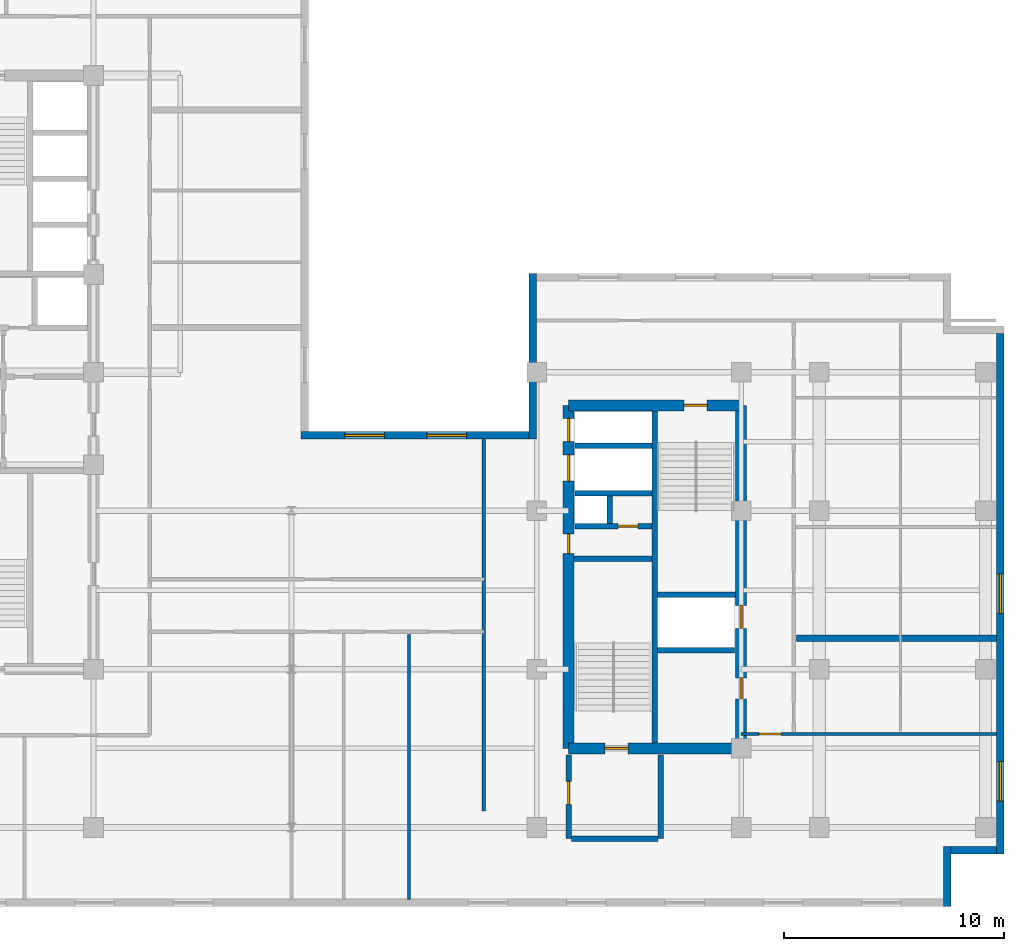
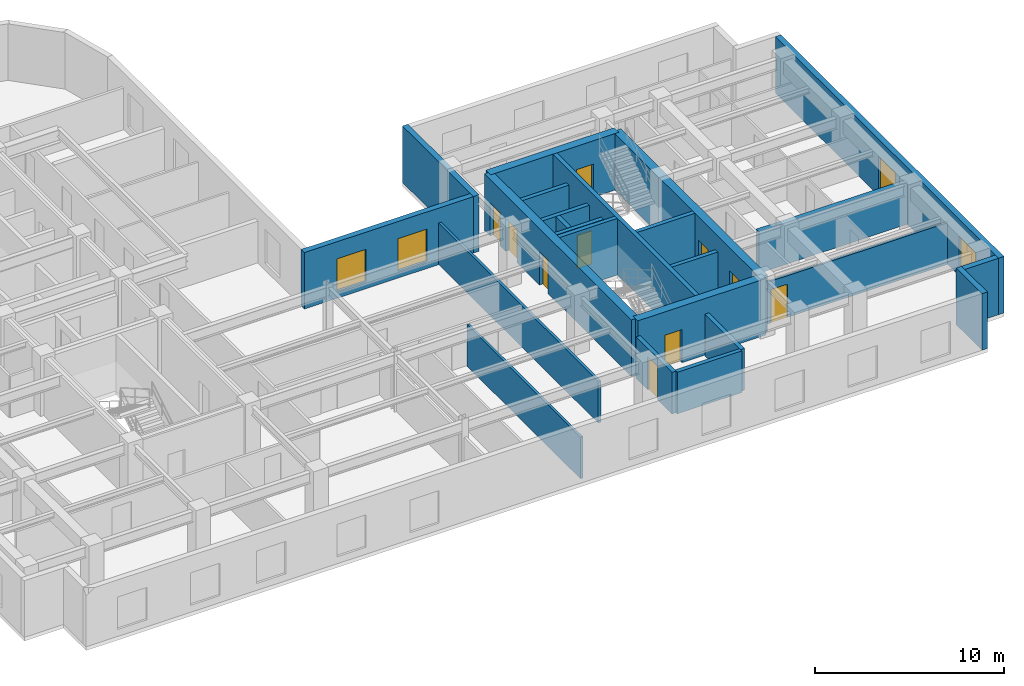
# One storey, part 6 of 11: 24 walls, 10 doors, 4 windows, 14 openings.
"""IFC4 building model written with IfcOpenShell, lengths in metres."""

from ifc_helpers import new_model, entity, si_unit, converted_unit, direction, frame, origin_with_axes, origin_2d_with_axis, place, context, subcontext, project, spatial, polyline, rectangle, outline, extrude, material, layer, layer_set, type_object, element, fill, save


model = new_model("IFC4")

# Units and contexts
model_context = context("Model", 3, precision=1e-05, world=origin_with_axes(), true_north=direction((0.0, 1.0)))
body_context = subcontext(model_context, "Body", "Model", "MODEL_VIEW")
ifc_project = project(units=[si_unit("LENGTHUNIT", "METRE"), si_unit("AREAUNIT", "SQUARE_METRE"), si_unit("VOLUMEUNIT", "CUBIC_METRE"), converted_unit("PLANEANGLEUNIT", "DEGREE", entity("IfcPlaneAngleMeasure", 0.017453292519943295), si_unit("PLANEANGLEUNIT", "RADIAN"), dimensions=[0, 0, 0, 0, 0, 0, 0]), si_unit("MASSUNIT", "GRAM", prefix="KILO"), si_unit("THERMODYNAMICTEMPERATUREUNIT", "KELVIN")], contexts=[model_context])

# Site, building, storey
site_placement = place(None, origin_with_axes())
site = spatial("IfcSite", under=ifc_project, at=site_placement, CompositionType="ELEMENT")
building_placement = place(site_placement, origin_with_axes())
building = spatial("IfcBuilding", under=site, at=building_placement, Name="Varnlund Millrace Tower", CompositionType="ELEMENT")
storey_placement = place(building_placement, frame((0.0, 0.0, 196.5), z_axis=(0.0, 0.0, 1.0), x_axis=(1.0, 0.0, 0.0)))
storey = spatial("IfcBuildingStorey", under=building, at=storey_placement, Name="L48", CompositionType="ELEMENT", Elevation=196.5)

# Wall, openings, doors
ifc_material_1 = material(Name="Concrete C70/85", Category="concrete")
ifc_layer_1 = layer(ifc_material_1, 0.5, Name="Concrete C70/85")
ifc_layer_set_1 = layer_set([ifc_layer_1], Name="Concrete C70/85")
wall_type_1 = type_object("IfcWallType", Name="Type-CoreWall-Shear-500-C70", PredefinedType="SHEAR", material=ifc_layer_set_1)
wall_1_placement = place(storey_placement, frame((40.2, 7.2, 0.0), z_axis=(0.0, 0.0, 1.0), x_axis=(0.0, 1.0, 0.0)))
wall_1 = element("IfcWall", 1, at=wall_1_placement, inside=storey, type_object=wall_type_1, Name="Type-CoreWall-Shear-500-C70", PredefinedType="SHEAR", context=body_context, shape_type="SweptSolid", body=[
    extrude(outline(polyline([(0.0, -0.25), (15.6, -0.25), (15.6, 0.25), (0.0, 0.25), (0.0, -0.25)])), origin_with_axes(), (0.0, 0.0, 1.0), 3.66),
])
opening_1_placement = place(wall_1_placement, frame((14.475, 0.0, 0.0), z_axis=(0.0, 0.0, 1.0), x_axis=(1.0, 0.0, 0.0)))
opening_1 = element("IfcOpeningElement", 2, at=opening_1_placement, cuts=wall_1, Name="Opening L48:LD-ELV-M4", PredefinedType="OPENING", context=body_context, shape_type="SweptSolid", body=[
    extrude(rectangle(XDim=1.05, YDim=0.52, at=origin_2d_with_axis()), origin_with_axes(), (0.0, 0.0, 1.0), 2.15),
])
opening_2_placement = place(wall_1_placement, frame((12.75, 0.0, 0.0), z_axis=(0.0, 0.0, 1.0), x_axis=(1.0, 0.0, 0.0)))
opening_2 = element("IfcOpeningElement", 3, at=opening_2_placement, cuts=wall_1, Name="Opening L48:LD-SRV2", PredefinedType="OPENING", context=body_context, shape_type="SweptSolid", body=[
    extrude(rectangle(XDim=1.2, YDim=0.52, at=origin_2d_with_axis()), origin_with_axes(), (0.0, 0.0, 1.0), 2.15),
])
opening_3_placement = place(wall_1_placement, frame((9.3, 0.0, 0.0), z_axis=(0.0, 0.0, 1.0), x_axis=(1.0, 0.0, 0.0)))
opening_3 = element("IfcOpeningElement", 4, at=opening_3_placement, cuts=wall_1, Name="Opening L48:DR-CB-JAN", PredefinedType="OPENING", context=body_context, shape_type="SweptSolid", body=[
    extrude(rectangle(XDim=0.9, YDim=0.52, at=origin_2d_with_axis()), origin_with_axes(), (0.0, 0.0, 1.0), 2.15),
])
ifc_material_2 = material(Name="Fire-rated hollow steel service closet door", Category="steel")
door_type_1 = type_object("IfcDoorType", Name="Type-FireDoor-Closet-900X2150", OperationType="NOTDEFINED", PredefinedType="DOOR", material=ifc_material_2)
door_1_placement = place(wall_1_placement, frame((9.3, 0.0, 0.0), z_axis=(0.0, 0.0, 1.0), x_axis=(1.0, 0.0, 0.0)))
door_1 = element("IfcDoor", 5, at=door_1_placement, inside=storey, type_object=door_type_1, Name="Type-FireDoor-Closet-900X2150", OperationType="SINGLE_SWING_RIGHT", OverallHeight=2.15, OverallWidth=0.9, PredefinedType="DOOR", context=body_context, shape_type="SweptSolid", body=[
    extrude(rectangle(XDim=0.9, YDim=0.09, at=origin_2d_with_axis()), origin_with_axes(), (0.0, 0.0, 1.0), 2.15),
])
fill(opening_3, door_1)
ifc_material_3 = material(Name="Architectural bronze sliding landing door")
door_type_2 = type_object("IfcDoorType", Name="Type-LiftLandingDoor-Compact-1050X2150", OperationType="NOTDEFINED", PredefinedType="DOOR", material=ifc_material_3)
door_2_placement = place(wall_1_placement, frame((14.475, 0.0, 0.0), z_axis=(0.0, 0.0, 1.0), x_axis=(1.0, 0.0, 0.0)))
door_2 = element("IfcDoor", 6, at=door_2_placement, inside=storey, type_object=door_type_2, Name="Type-LiftLandingDoor-Compact-1050X2150", OperationType="SLIDING_TO_RIGHT", OverallHeight=2.15, OverallWidth=1.05, PredefinedType="DOOR", context=body_context, shape_type="SweptSolid", body=[
    extrude(rectangle(XDim=1.05, YDim=0.09, at=origin_2d_with_axis()), origin_with_axes(), (0.0, 0.0, 1.0), 2.15),
])
fill(opening_1, door_2)
ifc_material_4 = material(Name="Heavy-duty freight sliding landing door")
door_type_3 = type_object("IfcDoorType", Name="Type-LiftLandingDoor-Service-1200X2150", OperationType="NOTDEFINED", PredefinedType="DOOR", material=ifc_material_4)
door_3_placement = place(wall_1_placement, frame((12.75, 0.0, 0.0), z_axis=(0.0, 0.0, 1.0), x_axis=(1.0, 0.0, 0.0)))
door_3 = element("IfcDoor", 7, at=door_3_placement, inside=storey, type_object=door_type_3, Name="Type-LiftLandingDoor-Service-1200X2150", OperationType="DOUBLE_DOOR_SLIDING", OverallHeight=2.15, OverallWidth=1.2, PredefinedType="DOOR", context=body_context, shape_type="SweptSolid", body=[
    extrude(rectangle(XDim=1.2, YDim=0.09, at=origin_2d_with_axis()), origin_with_axes(), (0.0, 0.0, 1.0), 2.15),
])
fill(opening_2, door_3)

# Wall, opening, door
wall_2_placement = place(storey_placement, frame((40.2, 7.2, 0.0), z_axis=(0.0, 0.0, 1.0), x_axis=(1.0, 0.0, 0.0)))
wall_2 = element("IfcWall", 8, at=wall_2_placement, inside=storey, type_object=wall_type_1, Name="Type-CoreWall-Shear-500-C70", PredefinedType="SHEAR", context=body_context, shape_type="SweptSolid", body=[
    extrude(outline(polyline([(0.0, -0.25), (7.85, -0.25), (7.85, 0.25), (0.0, 0.25), (0.0, -0.25)])), origin_with_axes(), (0.0, 0.0, 1.0), 3.66),
])
opening_4_placement = place(wall_2_placement, frame((2.175, 0.0, 0.0), z_axis=(0.0, 0.0, 1.0), x_axis=(1.0, 0.0, 0.0)))
opening_4 = element("IfcOpeningElement", 9, at=opening_4_placement, cuts=wall_2, Name="Opening L48:DR-STB1", PredefinedType="OPENING", context=body_context, shape_type="SweptSolid", body=[
    extrude(rectangle(XDim=1.05, YDim=0.52, at=origin_2d_with_axis()), origin_with_axes(), (0.0, 0.0, 1.0), 2.15),
])
ifc_material_5 = material(Name="Fire-rated hollow steel door", Category="steel")
door_type_4 = type_object("IfcDoorType", Name="Type-FireDoor-Stair-1050X2150", OperationType="NOTDEFINED", PredefinedType="DOOR", material=ifc_material_5)
door_4_placement = place(wall_2_placement, frame((2.175, 0.0, 0.0), z_axis=(0.0, 0.0, 1.0), x_axis=(1.0, 0.0, 0.0)))
door_4 = element("IfcDoor", 10, at=door_4_placement, inside=storey, type_object=door_type_4, Name="Type-FireDoor-Stair-1050X2150", OperationType="SINGLE_SWING_LEFT", OverallHeight=2.15, OverallWidth=1.05, PredefinedType="DOOR", context=body_context, shape_type="SweptSolid", body=[
    extrude(rectangle(XDim=1.05, YDim=0.09, at=origin_2d_with_axis()), origin_with_axes(), (0.0, 0.0, 1.0), 2.15),
])
fill(opening_4, door_4)

wall_3_placement = place(storey_placement, frame((40.2, 22.8, 0.0), z_axis=(0.0, 0.0, 1.0), x_axis=(1.0, 0.0, 0.0)))
wall_3 = element("IfcWall", 11, at=wall_3_placement, inside=storey, type_object=wall_type_1, Name="Type-CoreWall-Shear-500-C70", PredefinedType="SHEAR", context=body_context, shape_type="SweptSolid", body=[
    extrude(outline(polyline([(0.0, -0.25), (7.85, -0.25), (7.85, 0.25), (0.0, 0.25), (0.0, -0.25)])), origin_with_axes(), (0.0, 0.0, 1.0), 3.66),
])
opening_5_placement = place(wall_3_placement, frame((5.775, 0.0, 0.0), z_axis=(0.0, 0.0, 1.0), x_axis=(1.0, 0.0, 0.0)))
opening_5 = element("IfcOpeningElement", 12, at=opening_5_placement, cuts=wall_3, Name="Opening L48:DR-STB2", PredefinedType="OPENING", context=body_context, shape_type="SweptSolid", body=[
    extrude(rectangle(XDim=1.05, YDim=0.52, at=origin_2d_with_axis()), origin_with_axes(), (0.0, 0.0, 1.0), 2.15),
])
door_5_placement = place(wall_3_placement, frame((5.775, 0.0, 0.0), z_axis=(0.0, 0.0, 1.0), x_axis=(1.0, 0.0, 0.0)))
door_5 = element("IfcDoor", 13, at=door_5_placement, inside=storey, type_object=door_type_4, Name="Type-FireDoor-Stair-1050X2150", OperationType="SINGLE_SWING_RIGHT", OverallHeight=2.15, OverallWidth=1.05, PredefinedType="DOOR", context=body_context, shape_type="SweptSolid", body=[
    extrude(rectangle(XDim=1.05, YDim=0.09, at=origin_2d_with_axis()), origin_with_axes(), (0.0, 0.0, 1.0), 2.15),
])
fill(opening_5, door_5)

# Wall, openings, doors
wall_4_placement = place(storey_placement, frame((48.05, 7.2, 0.0), z_axis=(0.0, 0.0, 1.0), x_axis=(0.0, 1.0, 0.0)))
wall_4 = element("IfcWall", 14, at=wall_4_placement, inside=storey, type_object=wall_type_1, Name="Type-CoreWall-Shear-500-C70", PredefinedType="SHEAR", context=body_context, shape_type="SweptSolid", body=[
    extrude(outline(polyline([(0.0, -0.25), (15.6, -0.25), (15.6, 0.25), (0.0, 0.25), (0.0, -0.25)])), origin_with_axes(), (0.0, 0.0, 1.0), 3.66),
])
opening_6_placement = place(wall_4_placement, frame((5.975, 0.0, 0.0), z_axis=(0.0, 0.0, 1.0), x_axis=(1.0, 0.0, 0.0)))
opening_6 = element("IfcOpeningElement", 15, at=opening_6_placement, cuts=wall_4, Name="Opening L48:LD-ELV-M3", PredefinedType="OPENING", context=body_context, shape_type="SweptSolid", body=[
    extrude(rectangle(XDim=1.05, YDim=0.52, at=origin_2d_with_axis()), origin_with_axes(), (0.0, 0.0, 1.0), 2.15),
])
opening_7_placement = place(wall_4_placement, frame((2.725, 0.0, 0.0), z_axis=(0.0, 0.0, 1.0), x_axis=(1.0, 0.0, 0.0)))
opening_7 = element("IfcOpeningElement", 16, at=opening_7_placement, cuts=wall_4, Name="Opening L48:DR-CB-WC", PredefinedType="OPENING", context=body_context, shape_type="SweptSolid", body=[
    extrude(rectangle(XDim=0.95, YDim=0.52, at=origin_2d_with_axis()), origin_with_axes(), (0.0, 0.0, 1.0), 2.15),
])
ifc_material_6 = material(Name="Fire-rated hollow steel core service door", Category="steel")
door_type_5 = type_object("IfcDoorType", Name="Type-FireDoor-Service-950X2150", OperationType="NOTDEFINED", PredefinedType="DOOR", material=ifc_material_6)
door_6_placement = place(wall_4_placement, frame((2.725, 0.0, 0.0), z_axis=(0.0, 0.0, 1.0), x_axis=(1.0, 0.0, 0.0)))
door_6 = element("IfcDoor", 17, at=door_6_placement, inside=storey, type_object=door_type_5, Name="Type-FireDoor-Service-950X2150", OperationType="SINGLE_SWING_LEFT", OverallHeight=2.15, OverallWidth=0.95, PredefinedType="DOOR", context=body_context, shape_type="SweptSolid", body=[
    extrude(rectangle(XDim=0.95, YDim=0.09, at=origin_2d_with_axis()), origin_with_axes(), (0.0, 0.0, 1.0), 2.15),
])
fill(opening_7, door_6)
door_7_placement = place(wall_4_placement, frame((5.975, 0.0, 0.0), z_axis=(0.0, 0.0, 1.0), x_axis=(1.0, 0.0, 0.0)))
door_7 = element("IfcDoor", 18, at=door_7_placement, inside=storey, type_object=door_type_2, Name="Type-LiftLandingDoor-Compact-1050X2150", OperationType="SLIDING_TO_LEFT", OverallHeight=2.15, OverallWidth=1.05, PredefinedType="DOOR", context=body_context, shape_type="SweptSolid", body=[
    extrude(rectangle(XDim=1.05, YDim=0.09, at=origin_2d_with_axis()), origin_with_axes(), (0.0, 0.0, 1.0), 2.15),
])
fill(opening_6, door_7)

# Wall
ifc_material_7 = material(Name="Precast concrete C50/60", Category="concrete")
ifc_layer_2 = layer(ifc_material_7, 0.34, Name="Precast concrete C50/60")
ifc_layer_set_2 = layer_set([ifc_layer_2], Name="Precast concrete C50/60")
wall_type_2 = type_object("IfcWallType", Name="Type-ExtWall-Precast-Upper-340", PredefinedType="SOLIDWALL", material=ifc_layer_set_2)
wall_5_placement = place(storey_placement, frame((38.57, 21.26, 0.0), z_axis=(0.0, 0.0, 1.0), x_axis=(0.0, 1.0, 0.0)))
element("IfcWall", 19, at=wall_5_placement, inside=storey, type_object=wall_type_2, Name="Type-ExtWall-Precast-Upper-340", PredefinedType="SOLIDWALL", context=body_context, shape_type="SweptSolid", body=[
    extrude(outline(polyline([(0.0, -0.17), (7.54, -0.17), (7.54, 0.17), (0.0, 0.17), (0.0, -0.17)])), origin_with_axes(), (0.0, 0.0, 1.0), 3.66),
])

# Wall, openings, windows
wall_6_placement = place(storey_placement, frame((59.83, 26.06, 0.0), z_axis=(0.0, 0.0, 1.0), x_axis=(0.0, -1.0, 0.0)))
wall_6 = element("IfcWall", 20, at=wall_6_placement, inside=storey, type_object=wall_type_2, Name="Type-ExtWall-Precast-Upper-340", PredefinedType="SOLIDWALL", context=body_context, shape_type="SweptSolid", body=[
    extrude(outline(polyline([(0.0, -0.17), (23.66, -0.17), (23.66, 0.17), (0.0, 0.17), (0.0, -0.17)])), origin_with_axes(), (0.0, 0.0, 1.0), 3.66),
])
opening_8_placement = place(wall_6_placement, frame((11.83, 0.0, 0.45), z_axis=(0.0, 0.0, 1.0), x_axis=(1.0, 0.0, 0.0)))
opening_8 = element("IfcOpeningElement", 21, at=opening_8_placement, cuts=wall_6, Name="Opening L48:WN-05", PredefinedType="OPENING", context=body_context, shape_type="SweptSolid", body=[
    extrude(rectangle(XDim=1.8, YDim=0.36, at=origin_2d_with_axis()), origin_with_axes(), (0.0, 0.0, 1.0), 2.1),
])
opening_9_placement = place(wall_6_placement, frame((20.364, 0.0, 0.45), z_axis=(0.0, 0.0, 1.0), x_axis=(1.0, 0.0, 0.0)))
opening_9 = element("IfcOpeningElement", 22, at=opening_9_placement, cuts=wall_6, Name="Opening L48:WN-06", PredefinedType="OPENING", context=body_context, shape_type="SweptSolid", body=[
    extrude(rectangle(XDim=1.8, YDim=0.36, at=origin_2d_with_axis()), origin_with_axes(), (0.0, 0.0, 1.0), 2.1),
])
ifc_material_8 = material(Name="Argon low-e triple glazing in thermally broken bronze frame", Category="glass")
window_type = type_object("IfcWindowType", Name="Type-Window-Punched-1800X2100", PartitioningType="SINGLE_PANEL", PredefinedType="WINDOW", material=ifc_material_8)
window_1_placement = place(wall_6_placement, frame((11.83, 0.0, 0.45), z_axis=(0.0, 0.0, 1.0), x_axis=(1.0, 0.0, 0.0)))
window_1 = element("IfcWindow", 23, at=window_1_placement, inside=storey, type_object=window_type, Name="Type-Window-Punched-1800X2100", OverallHeight=2.1, OverallWidth=1.8, PredefinedType="WINDOW", context=body_context, shape_type="SweptSolid", body=[
    extrude(rectangle(XDim=1.8, YDim=0.09, at=origin_2d_with_axis()), origin_with_axes(), (0.0, 0.0, 1.0), 2.1),
])
fill(opening_8, window_1)
window_2_placement = place(wall_6_placement, frame((20.364, 0.0, 0.45), z_axis=(0.0, 0.0, 1.0), x_axis=(1.0, 0.0, 0.0)))
window_2 = element("IfcWindow", 24, at=window_2_placement, inside=storey, type_object=window_type, Name="Type-Window-Punched-1800X2100", OverallHeight=2.1, OverallWidth=1.8, PredefinedType="WINDOW", context=body_context, shape_type="SweptSolid", body=[
    extrude(rectangle(XDim=1.8, YDim=0.09, at=origin_2d_with_axis()), origin_with_axes(), (0.0, 0.0, 1.0), 2.1),
])
fill(opening_9, window_2)

# Walls
wall_7_placement = place(storey_placement, frame((59.66, 2.57, 0.0), z_axis=(0.0, 0.0, 1.0), x_axis=(-1.0, 0.0, 0.0)))
element("IfcWall", 25, at=wall_7_placement, inside=storey, type_object=wall_type_2, Name="Type-ExtWall-Precast-Upper-340", PredefinedType="SOLIDWALL", context=body_context, shape_type="SweptSolid", body=[
    extrude(outline(polyline([(0.0, -0.17), (2.06, -0.17), (2.06, 0.17), (0.0, 0.17), (0.0, -0.17)])), origin_with_axes(), (0.0, 0.0, 1.0), 3.66),
])
wall_8_placement = place(storey_placement, frame((57.43, 2.74, 0.0), z_axis=(0.0, 0.0, 1.0), x_axis=(0.0, -1.0, 0.0)))
element("IfcWall", 26, at=wall_8_placement, inside=storey, type_object=wall_type_2, Name="Type-ExtWall-Precast-Upper-340", PredefinedType="SOLIDWALL", context=body_context, shape_type="SweptSolid", body=[
    extrude(outline(polyline([(0.0, -0.17), (2.74, -0.17), (2.74, 0.17), (0.0, 0.17), (0.0, -0.17)])), origin_with_axes(), (0.0, 0.0, 1.0), 3.66),
])

# Wall, openings, windows
wall_9_placement = place(storey_placement, frame((28.039, 21.43, 0.0), z_axis=(0.0, 0.0, 1.0), x_axis=(1.0, 0.0, 0.0)))
wall_9 = element("IfcWall", 27, at=wall_9_placement, inside=storey, type_object=wall_type_2, Name="Type-ExtWall-Precast-Upper-340", PredefinedType="SOLIDWALL", context=body_context, shape_type="SweptSolid", body=[
    extrude(outline(polyline([(0.0, -0.17), (10.361, -0.17), (10.361, 0.17), (0.0, 0.17), (0.0, -0.17)])), origin_with_axes(), (0.0, 0.0, 1.0), 3.66),
])
opening_10_placement = place(wall_9_placement, frame((2.89, 0.0, 0.45), z_axis=(0.0, 0.0, 1.0), x_axis=(1.0, 0.0, 0.0)))
opening_10 = element("IfcOpeningElement", 28, at=opening_10_placement, cuts=wall_9, Name="Opening L48:WN-29", PredefinedType="OPENING", context=body_context, shape_type="SweptSolid", body=[
    extrude(rectangle(XDim=1.8, YDim=0.36, at=origin_2d_with_axis()), origin_with_axes(), (0.0, 0.0, 1.0), 2.1),
])
opening_11_placement = place(wall_9_placement, frame((6.621, 0.0, 0.45), z_axis=(0.0, 0.0, 1.0), x_axis=(1.0, 0.0, 0.0)))
opening_11 = element("IfcOpeningElement", 29, at=opening_11_placement, cuts=wall_9, Name="Opening L48:WN-30", PredefinedType="OPENING", context=body_context, shape_type="SweptSolid", body=[
    extrude(rectangle(XDim=1.8, YDim=0.36, at=origin_2d_with_axis()), origin_with_axes(), (0.0, 0.0, 1.0), 2.1),
])
window_3_placement = place(wall_9_placement, frame((2.89, 0.0, 0.45), z_axis=(0.0, 0.0, 1.0), x_axis=(1.0, 0.0, 0.0)))
window_3 = element("IfcWindow", 30, at=window_3_placement, inside=storey, type_object=window_type, Name="Type-Window-Punched-1800X2100", OverallHeight=2.1, OverallWidth=1.8, PredefinedType="WINDOW", context=body_context, shape_type="SweptSolid", body=[
    extrude(rectangle(XDim=1.8, YDim=0.09, at=origin_2d_with_axis()), origin_with_axes(), (0.0, 0.0, 1.0), 2.1),
])
fill(opening_10, window_3)
window_4_placement = place(wall_9_placement, frame((6.621, 0.0, 0.45), z_axis=(0.0, 0.0, 1.0), x_axis=(1.0, 0.0, 0.0)))
window_4 = element("IfcWindow", 31, at=window_4_placement, inside=storey, type_object=window_type, Name="Type-Window-Punched-1800X2100", OverallHeight=2.1, OverallWidth=1.8, PredefinedType="WINDOW", context=body_context, shape_type="SweptSolid", body=[
    extrude(rectangle(XDim=1.8, YDim=0.09, at=origin_2d_with_axis()), origin_with_axes(), (0.0, 0.0, 1.0), 2.1),
])
fill(opening_11, window_4)

# Walls
ifc_material_9 = material(Name="Double-stud STC-60 conference acoustic partition", Category="gypsum")
ifc_layer_3 = layer(ifc_material_9, 0.28, Name="Double-stud STC-60 conference acoustic partition")
ifc_layer_set_3 = layer_set([ifc_layer_3], Name="Double-stud STC-60 conference acoustic partition")
wall_type_3 = type_object("IfcWallType", Name="Type-Partition-Acoustic-280", PredefinedType="PARTITIONING", material=ifc_layer_set_3)
wall_10_placement = place(storey_placement, frame((50.57, 12.209, 0.0), z_axis=(0.0, 0.0, 1.0), x_axis=(1.0, 0.0, 0.0)))
element("IfcWall", 32, at=wall_10_placement, inside=storey, type_object=wall_type_3, Name="Type-Partition-Acoustic-280", PredefinedType="PARTITIONING", context=body_context, shape_type="SweptSolid", body=[
    extrude(outline(polyline([(0.0, -0.14), (9.095, -0.14), (9.095, 0.14), (0.0, 0.14), (0.0, -0.14)])), origin_with_axes(), (0.0, 0.0, 1.0), 2.7),
])
ifc_material_10 = material(Name="Fire-rated gypsum board on cold-formed steel framing", Category="steel")
ifc_layer_4 = layer(ifc_material_10, 0.16, Name="Fire-rated gypsum board on cold-formed steel framing")
ifc_layer_set_4 = layer_set([ifc_layer_4], Name="Fire-rated gypsum board on cold-formed steel framing")
wall_type_4 = type_object("IfcWallType", Name="Type-Partition-Corridor-160", PredefinedType="PARTITIONING", material=ifc_layer_set_4)
wall_11_placement = place(storey_placement, frame((36.35, 4.35, 0.0), z_axis=(0.0, 0.0, 1.0), x_axis=(0.0, 1.0, 0.0)))
element("IfcWall", 33, at=wall_11_placement, inside=storey, type_object=wall_type_4, Name="Type-Partition-Corridor-160", PredefinedType="PARTITIONING", context=body_context, shape_type="SweptSolid", body=[
    extrude(outline(polyline([(0.0, -0.08), (16.95, -0.08), (16.95, 0.08), (0.0, 0.08), (0.0, -0.08)])), origin_with_axes(), (0.0, 0.0, 1.0), 2.7),
])
ifc_material_11 = material(Name="Acoustic STC-50 gypsum board partition", Category="gypsum")
ifc_layer_5 = layer(ifc_material_11, 0.15, Name="Acoustic STC-50 gypsum board partition")
ifc_layer_set_5 = layer_set([ifc_layer_5], Name="Acoustic STC-50 gypsum board partition")
wall_type_5 = type_object("IfcWallType", Name="Type-Partition-Demising-150", PredefinedType="PARTITIONING", material=ifc_layer_set_5)
wall_12_placement = place(storey_placement, frame((32.948, 0.335, 0.0), z_axis=(0.0, 0.0, 1.0), x_axis=(0.0, 1.0, 0.0)))
element("IfcWall", 34, at=wall_12_placement, inside=storey, type_object=wall_type_5, Name="Type-Partition-Demising-150", PredefinedType="PARTITIONING", context=body_context, shape_type="SweptSolid", body=[
    extrude(outline(polyline([(0.0, -0.075), (12.045, -0.075), (12.045, 0.075), (0.0, 0.075), (0.0, -0.075)])), origin_with_axes(), (0.0, 0.0, 1.0), 2.7),
])

# Wall, opening, door
ifc_material_12 = material(Name="Gypsum board tenant partition", Category="gypsum")
ifc_layer_6 = layer(ifc_material_12, 0.125, Name="Gypsum board tenant partition")
ifc_layer_set_6 = layer_set([ifc_layer_6], Name="Gypsum board tenant partition")
wall_type_6 = type_object("IfcWallType", Name="Type-Partition-Tenant-125", PredefinedType="PARTITIONING", material=ifc_layer_set_6)
wall_13_placement = place(storey_placement, frame((59.665, 7.85, 0.0), z_axis=(0.0, 0.0, 1.0), x_axis=(-1.0, 0.0, 0.0)))
wall_13 = element("IfcWall", 35, at=wall_13_placement, inside=storey, type_object=wall_type_6, Name="Type-Partition-Tenant-125", PredefinedType="PARTITIONING", context=body_context, shape_type="SweptSolid", body=[
    extrude(outline(polyline([(0.0, -0.0625), (11.615, -0.0625), (11.615, 0.0625), (0.0, 0.0625), (0.0, -0.0625)])), origin_with_axes(), (0.0, 0.0, 1.0), 2.7),
])
opening_12_placement = place(wall_13_placement, frame((10.315, 0.0, 0.0), z_axis=(0.0, 0.0, 1.0), x_axis=(1.0, 0.0, 0.0)))
opening_12 = element("IfcOpeningElement", 36, at=opening_12_placement, cuts=wall_13, Name="Opening L48:DR-WBS-01", PredefinedType="OPENING", context=body_context, shape_type="SweptSolid", body=[
    extrude(rectangle(XDim=1.0, YDim=0.145, at=origin_2d_with_axis()), origin_with_axes(), (0.0, 0.0, 1.0), 2.15),
])
ifc_material_13 = material(Name="Solid-core white oak and bronze frame door")
door_type_6 = type_object("IfcDoorType", Name="Type-IntDoor-Office-1000X2150", OperationType="NOTDEFINED", PredefinedType="DOOR", material=ifc_material_13)
door_8_placement = place(wall_13_placement, frame((10.315, 0.0, 0.0), z_axis=(0.0, 0.0, 1.0), x_axis=(1.0, 0.0, 0.0)))
door_8 = element("IfcDoor", 37, at=door_8_placement, inside=storey, type_object=door_type_6, Name="Type-IntDoor-Office-1000X2150", OperationType="SINGLE_SWING_LEFT", OverallHeight=2.15, OverallWidth=1.0, PredefinedType="DOOR", context=body_context, shape_type="SweptSolid", body=[
    extrude(rectangle(XDim=1.0, YDim=0.075, at=origin_2d_with_axis()), origin_with_axes(), (0.0, 0.0, 1.0), 2.15),
])
fill(opening_12, door_8)

ifc_material_14 = material(Name="Concrete C60/75", Category="concrete")
ifc_layer_7 = layer(ifc_material_14, 0.25, Name="Concrete C60/75")
ifc_layer_set_7 = layer_set([ifc_layer_7], Name="Concrete C60/75")
wall_type_7 = type_object("IfcWallType", Name="Type-ShaftWall-Fire-250", PredefinedType="SOLIDWALL", material=ifc_layer_set_7)
wall_14_placement = place(storey_placement, frame((40.5, 17.3, 0.0), z_axis=(0.0, 0.0, 1.0), x_axis=(1.0, 0.0, 0.0)))
wall_14 = element("IfcWall", 38, at=wall_14_placement, inside=storey, type_object=wall_type_7, Name="Type-ShaftWall-Fire-250", PredefinedType="SOLIDWALL", context=body_context, shape_type="SweptSolid", body=[
    extrude(outline(polyline([(0.0, -0.125), (3.5, -0.125), (3.5, 0.125), (0.0, 0.125), (0.0, -0.125)])), origin_with_axes(), (0.0, 0.0, 1.0), 2.7),
])
opening_13_placement = place(wall_14_placement, frame((2.4, 0.0, 0.0), z_axis=(0.0, 0.0, 1.0), x_axis=(1.0, 0.0, 0.0)))
opening_13 = element("IfcOpeningElement", 39, at=opening_13_placement, cuts=wall_14, Name="Opening L48:DR-CB-ELC", PredefinedType="OPENING", context=body_context, shape_type="SweptSolid", body=[
    extrude(rectangle(XDim=0.9, YDim=0.27, at=origin_2d_with_axis()), origin_with_axes(), (0.0, 0.0, 1.0), 2.15),
])
door_9_placement = place(wall_14_placement, frame((2.4, 0.0, 0.0), z_axis=(0.0, 0.0, 1.0), x_axis=(1.0, 0.0, 0.0)))
door_9 = element("IfcDoor", 40, at=door_9_placement, inside=storey, type_object=door_type_1, Name="Type-FireDoor-Closet-900X2150", OperationType="SINGLE_SWING_LEFT", OverallHeight=2.15, OverallWidth=0.9, PredefinedType="DOOR", context=body_context, shape_type="SweptSolid", body=[
    extrude(rectangle(XDim=0.9, YDim=0.09, at=origin_2d_with_axis()), origin_with_axes(), (0.0, 0.0, 1.0), 2.15),
])
fill(opening_13, door_9)

# Walls
wall_15_placement = place(storey_placement, frame((40.5, 18.8, 0.0), z_axis=(0.0, 0.0, 1.0), x_axis=(1.0, 0.0, 0.0)))
element("IfcWall", 41, at=wall_15_placement, inside=storey, type_object=wall_type_7, Name="Type-ShaftWall-Fire-250", PredefinedType="SOLIDWALL", context=body_context, shape_type="SweptSolid", body=[
    extrude(outline(polyline([(0.0, -0.125), (3.5, -0.125), (3.5, 0.125), (0.0, 0.125), (0.0, -0.125)])), origin_with_axes(), (0.0, 0.0, 1.0), 2.7),
])
wall_16_placement = place(storey_placement, frame((42.075, 17.43, 0.0), z_axis=(0.0, 0.0, 1.0), x_axis=(0.0, 1.0, 0.0)))
element("IfcWall", 42, at=wall_16_placement, inside=storey, type_object=wall_type_7, Name="Type-ShaftWall-Fire-250", PredefinedType="SOLIDWALL", context=body_context, shape_type="SweptSolid", body=[
    extrude(outline(polyline([(0.0, -0.125), (1.24, -0.125), (1.24, 0.125), (0.0, 0.125), (0.0, -0.125)])), origin_with_axes(), (0.0, 0.0, 1.0), 2.7),
])

# Wall, opening, door
wall_17_placement = place(storey_placement, frame((40.2, 3.1, 0.0), z_axis=(0.0, 0.0, 1.0), x_axis=(0.0, 1.0, 0.0)))
wall_17 = element("IfcWall", 43, at=wall_17_placement, inside=storey, type_object=wall_type_7, Name="Type-ShaftWall-Fire-250", PredefinedType="SOLIDWALL", context=body_context, shape_type="SweptSolid", body=[
    extrude(outline(polyline([(0.0, -0.125), (3.8, -0.125), (3.8, 0.125), (0.0, 0.125), (0.0, -0.125)])), origin_with_axes(), (0.0, 0.0, 1.0), 2.7),
])
opening_14_placement = place(wall_17_placement, frame((2.075, 0.0, 0.0), z_axis=(0.0, 0.0, 1.0), x_axis=(1.0, 0.0, 0.0)))
opening_14 = element("IfcOpeningElement", 44, at=opening_14_placement, cuts=wall_17, Name="Opening L48:DR-FFLOB-B", PredefinedType="OPENING", context=body_context, shape_type="SweptSolid", body=[
    extrude(rectangle(XDim=1.05, YDim=0.27, at=origin_2d_with_axis()), origin_with_axes(), (0.0, 0.0, 1.0), 2.15),
])
ifc_material_15 = material(Name="Smoke-barrier hollow steel fire door", Category="steel")
door_type_7 = type_object("IfcDoorType", Name="Type-FireDoor-Lobby-1050X2150", OperationType="NOTDEFINED", PredefinedType="DOOR", material=ifc_material_15)
door_10_placement = place(wall_17_placement, frame((2.075, 0.0, 0.0), z_axis=(0.0, 0.0, 1.0), x_axis=(1.0, 0.0, 0.0)))
door_10 = element("IfcDoor", 45, at=door_10_placement, inside=storey, type_object=door_type_7, Name="Type-FireDoor-Lobby-1050X2150", OperationType="SINGLE_SWING_LEFT", OverallHeight=2.15, OverallWidth=1.05, PredefinedType="DOOR", context=body_context, shape_type="SweptSolid", body=[
    extrude(rectangle(XDim=1.05, YDim=0.09, at=origin_2d_with_axis()), origin_with_axes(), (0.0, 0.0, 1.0), 2.15),
])
fill(opening_14, door_10)

# Walls
wall_18_placement = place(storey_placement, frame((40.325, 3.1, 0.0), z_axis=(0.0, 0.0, 1.0), x_axis=(1.0, 0.0, 0.0)))
element("IfcWall", 46, at=wall_18_placement, inside=storey, type_object=wall_type_7, Name="Type-ShaftWall-Fire-250", PredefinedType="SOLIDWALL", context=body_context, shape_type="SweptSolid", body=[
    extrude(outline(polyline([(0.0, -0.125), (3.95, -0.125), (3.95, 0.125), (0.0, 0.125), (0.0, -0.125)])), origin_with_axes(), (0.0, 0.0, 1.0), 2.7),
])
wall_19_placement = place(storey_placement, frame((44.4, 3.1, 0.0), z_axis=(0.0, 0.0, 1.0), x_axis=(0.0, 1.0, 0.0)))
element("IfcWall", 47, at=wall_19_placement, inside=storey, type_object=wall_type_7, Name="Type-ShaftWall-Fire-250", PredefinedType="SOLIDWALL", context=body_context, shape_type="SweptSolid", body=[
    extrude(outline(polyline([(0.0, -0.125), (3.8, -0.125), (3.8, 0.125), (0.0, 0.125), (0.0, -0.125)])), origin_with_axes(), (0.0, 0.0, 1.0), 2.7),
])
for number, where, z_axis, x_axis, name in (
    (48, (40.5, 20.96, 0.0), (0.0, 0.0, 1.0), (1.0, 0.0, 0.0), "Type-ShaftWall-Fire-250"),
    (49, (44.25, 11.66, 0.0), (0.0, 0.0, 1.0), (1.0, 0.0, 0.0), "Type-ShaftWall-Fire-250"),
):
    element("IfcWall", number, at=place(storey_placement, frame(where, z_axis=z_axis, x_axis=x_axis)), inside=storey, type_object=wall_type_7, Name=name, PredefinedType="SOLIDWALL", context=body_context, shape_type="SweptSolid", body=[
        extrude(outline(polyline([(0.0, -0.125), (3.5, -0.125), (3.5, 0.125), (0.0, 0.125), (0.0, -0.125)])), origin_with_axes(), (0.0, 0.0, 1.0), 2.7),
    ])
wall_type_8 = type_object("IfcWallType", Name="Type-StairWall-Shear-250", PredefinedType="SHEAR", material=ifc_layer_set_7)
wall_20_placement = place(storey_placement, frame((44.125, 7.45, 0.0), z_axis=(0.0, 0.0, 1.0), x_axis=(0.0, 1.0, 0.0)))
element("IfcWall", 50, at=wall_20_placement, inside=storey, type_object=wall_type_8, Name="Type-StairWall-Shear-250", PredefinedType="SHEAR", context=body_context, shape_type="SweptSolid", body=[
    extrude(outline(polyline([(0.0, -0.125), (15.1, -0.125), (15.1, 0.125), (0.0, 0.125), (0.0, -0.125)])), origin_with_axes(), (0.0, 0.0, 1.0), 3.66),
])
for number, where, z_axis, x_axis, name in (
    (51, (40.45, 15.825, 0.0), (0.0, 0.0, 1.0), (1.0, 0.0, 0.0), "Type-StairWall-Shear-250"),
    (52, (44.25, 14.175, 0.0), (0.0, 0.0, 1.0), (1.0, 0.0, 0.0), "Type-StairWall-Shear-250"),
):
    element("IfcWall", number, at=place(storey_placement, frame(where, z_axis=z_axis, x_axis=x_axis)), inside=storey, type_object=wall_type_8, Name=name, PredefinedType="SHEAR", context=body_context, shape_type="SweptSolid", body=[
        extrude(outline(polyline([(0.0, -0.125), (3.55, -0.125), (3.55, 0.125), (0.0, 0.125), (0.0, -0.125)])), origin_with_axes(), (0.0, 0.0, 1.0), 3.66),
    ])

save(model, "model.ifc")
